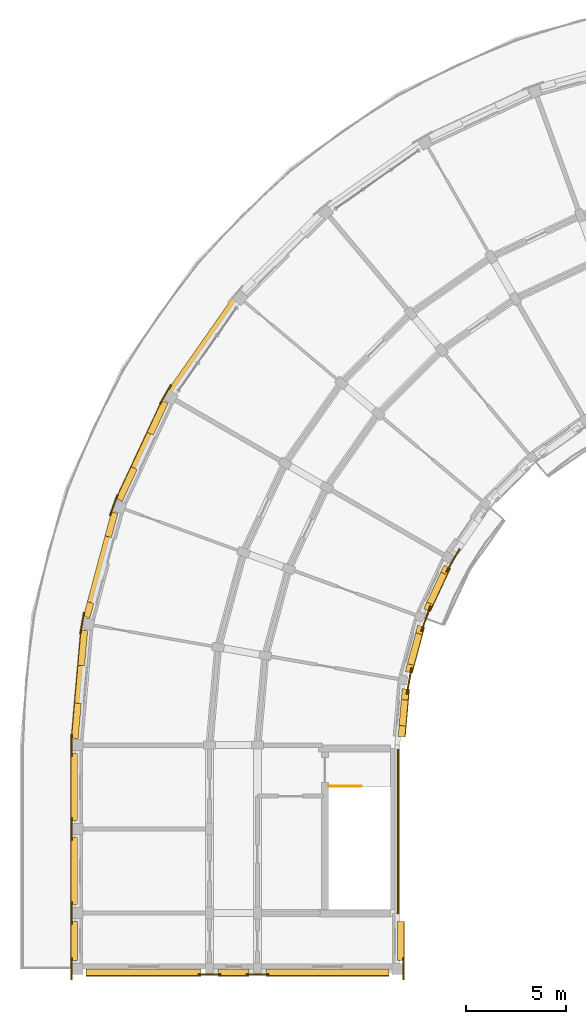
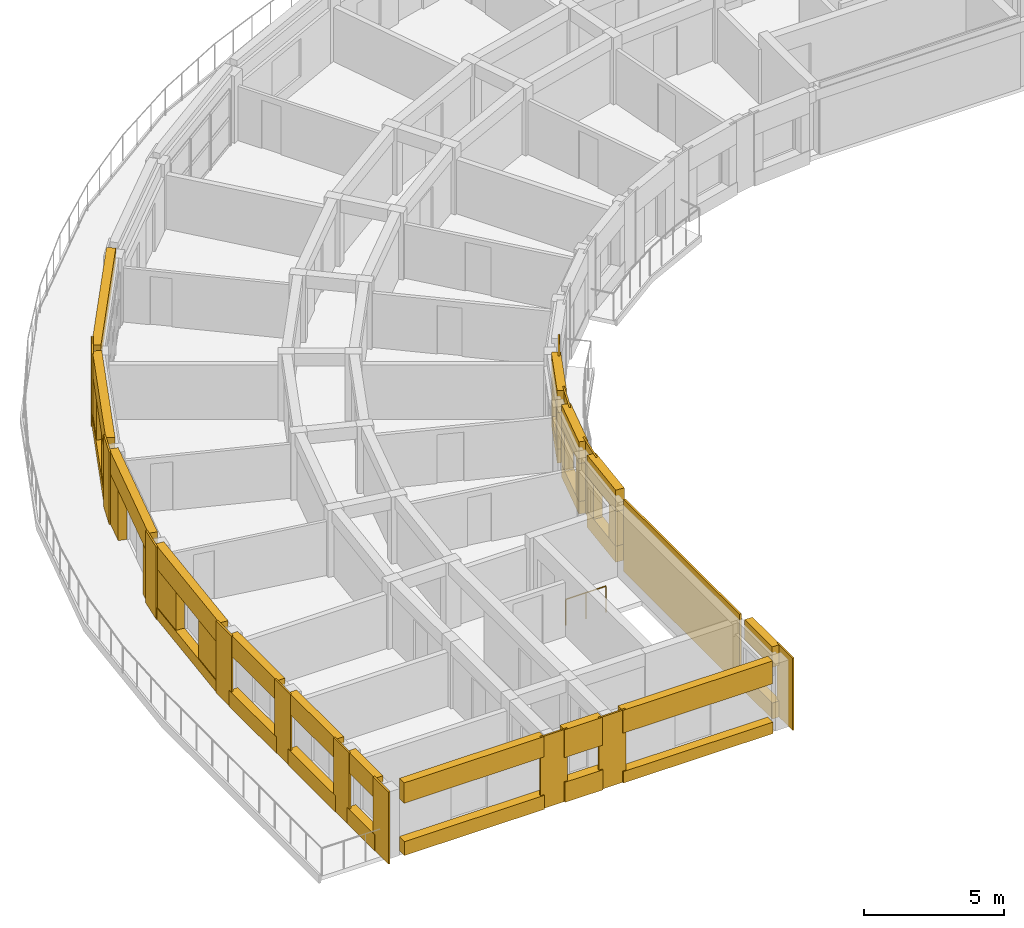
# One storey, part 11 of 14: 52 coverings, 1 railing.
"""IFC4 building model written with IfcOpenShell, lengths in metres."""

from ifc_helpers import new_model, si_unit, direction, frame, origin, origin_2d, place, context, subcontext, project, spatial, polyline, circle, outline, extrude, material, layer, layer_set, type_object, element, save


model = new_model("IFC4")

# Units and contexts
model_context = context("Model", 3, precision=1e-05, world=origin(), true_north=direction((0.0, 1.0)))
body_context = subcontext(model_context, "Body", "Model", "MODEL_VIEW")
ifc_project = project(units=[si_unit("LENGTHUNIT", "METRE"), si_unit("AREAUNIT", "SQUARE_METRE"), si_unit("VOLUMEUNIT", "CUBIC_METRE"), si_unit("PLANEANGLEUNIT", "RADIAN"), si_unit("MASSUNIT", "GRAM", prefix="KILO")], contexts=[model_context])

# Site, building, storey
site_placement = place(None, origin())
site = spatial("IfcSite", under=ifc_project, at=site_placement, CompositionType="ELEMENT")
building_placement = place(site_placement, origin())
building = spatial("IfcBuilding", under=site, at=building_placement, Name="Kiranvali Square Residences", CompositionType="ELEMENT")
storey_placement = place(building_placement, frame((0.0, 0.0, 49.64990234375)))
storey = spatial("IfcBuildingStorey", under=building, at=storey_placement, Name="L15", CompositionType="ELEMENT", Elevation=49.64990234375)

# Coverings
ifc_material_1 = material(Name="Honed Porbandar limestone ashlar facade cladding", Category="masonry")
ifc_layer_1 = layer(ifc_material_1, 0.3798828125)
ifc_layer_set_1 = layer_set([ifc_layer_1], Name="Honed Porbandar limestone ashlar facade cladding")
covering_type_1 = type_object("IfcCoveringType", Name="COV-CLAD-JAMB", PredefinedType="CLADDING", material=ifc_layer_set_1)
covering_1_placement = place(storey_placement, frame((0.0, 0.0, 0.502197265625)))
element("IfcCovering", 1, at=covering_1_placement, inside=storey, type_object=covering_type_1, Name="L15 deep limestone window jamb reveal A-L15-CRV-06.L", PredefinedType="CLADDING", context=body_context, shape_type="SweptSolid", body=[
    extrude(outline(polyline([(17.621337890625, 105.047119140625), (16.87841796875, 103.45361328125), (17.181640625, 103.312255859375), (17.924560546875, 104.90576171875), (17.621337890625, 105.047119140625)])), origin(), (0.0, 0.0, 1.0), 1.64990234375),
])
covering_2_placement = place(storey_placement, frame((0.0, 0.0, 0.502197265625)))
element("IfcCovering", 2, at=covering_2_placement, inside=storey, type_object=covering_type_1, Name="L15 deep limestone window jamb reveal A-L15-CRV-06.R", PredefinedType="CLADDING", context=body_context, shape_type="SweptSolid", body=[
    extrude(outline(polyline([(16.075439453125, 101.731689453125), (15.33251953125, 100.138427734375), (15.635498046875, 99.9970703125), (16.378662109375, 101.59033203125), (16.075439453125, 101.731689453125)])), origin(), (0.0, 0.0, 1.0), 1.64990234375),
])
covering_3_placement = place(storey_placement, origin())
element("IfcCovering", 3, at=covering_3_placement, inside=storey, type_object=covering_type_1, Name="L15 deep limestone window jamb reveal A-L15-CRV-07.L", PredefinedType="CLADDING", context=body_context, shape_type="SweptSolid", body=[
    extrude(outline(polyline([(15.091064453125, 99.47509765625), (14.7685546875, 98.27197265625), (15.091796875, 98.185302734375), (15.4140625, 99.388427734375), (15.091064453125, 99.47509765625)])), origin(), (0.0, 0.0, 1.0), 2.18017578125),
])
covering_4_placement = place(storey_placement, origin())
element("IfcCovering", 4, at=covering_4_placement, inside=storey, type_object=covering_type_1, Name="L15 deep limestone window jamb reveal A-L15-CRV-07.R", PredefinedType="CLADDING", context=body_context, shape_type="SweptSolid", body=[
    extrude(outline(polyline([(13.885498046875, 94.975830078125), (13.689208984375, 94.24365234375), (14.01220703125, 94.156982421875), (14.20849609375, 94.889404296875), (13.885498046875, 94.975830078125)])), origin(), (0.0, 0.0, 1.0), 2.18017578125),
])
covering_5_placement = place(storey_placement, frame((0.0, 0.0, 0.502197265625)))
element("IfcCovering", 5, at=covering_5_placement, inside=storey, type_object=covering_type_1, Name="L15 deep limestone window jamb reveal A-L15-CRV-08.L", PredefinedType="CLADDING", context=body_context, shape_type="SweptSolid", body=[
    extrude(outline(polyline([(13.566650390625, 93.54833984375), (13.413330078125, 91.797119140625), (13.74658203125, 91.767822265625), (13.89990234375, 93.519287109375), (13.566650390625, 93.54833984375)])), origin(), (0.0, 0.0, 1.0), 1.64990234375),
])
covering_6_placement = place(storey_placement, frame((0.0, 0.0, 0.502197265625)))
element("IfcCovering", 6, at=covering_6_placement, inside=storey, type_object=covering_type_1, Name="L15 deep limestone window jamb reveal A-L15-CRV-08.R", PredefinedType="CLADDING", context=body_context, shape_type="SweptSolid", body=[
    extrude(outline(polyline([(13.247802734375, 89.904296875), (13.094482421875, 88.153076171875), (13.427734375, 88.123779296875), (13.5810546875, 89.875244140625), (13.247802734375, 89.904296875)])), origin(), (0.0, 0.0, 1.0), 1.64990234375),
])
covering_7_placement = place(storey_placement, frame((0.0, 0.0, 0.60205078125)))
element("IfcCovering", 7, at=covering_7_placement, inside=storey, type_object=covering_type_1, Name="L15 deep limestone window jamb reveal A-L15-GDN-06.L", PredefinedType="CLADDING", context=body_context, shape_type="SweptSolid", body=[
    extrude(outline(polyline([(31.733154296875, 96.801025390625), (31.575439453125, 96.46240234375), (31.883056640625, 96.319091796875), (32.041015625, 96.657470703125), (31.733154296875, 96.801025390625)])), origin(), (0.0, 0.0, 1.0), 1.60009765625),
])
covering_8_placement = place(storey_placement, frame((0.0, 0.0, 0.60205078125)))
element("IfcCovering", 8, at=covering_8_placement, inside=storey, type_object=covering_type_1, Name="L15 deep limestone window jamb reveal A-L15-GDN-06.R", PredefinedType="CLADDING", context=body_context, shape_type="SweptSolid", body=[
    extrude(outline(polyline([(30.8779296875, 94.967041015625), (30.72021484375, 94.62841796875), (31.02783203125, 94.485107421875), (31.185791015625, 94.823486328125), (30.8779296875, 94.967041015625)])), origin(), (0.0, 0.0, 1.0), 1.60009765625),
])
covering_9_placement = place(storey_placement, frame((0.0, 0.0, 0.552001953125)))
element("IfcCovering", 9, at=covering_9_placement, inside=storey, type_object=covering_type_1, Name="L15 deep limestone window jamb reveal A-L15-GDN-07.L", PredefinedType="CLADDING", context=body_context, shape_type="SweptSolid", body=[
    extrude(outline(polyline([(30.42041015625, 93.804931640625), (30.317138671875, 93.419921875), (30.645263671875, 93.33203125), (30.748291015625, 93.717041015625), (30.42041015625, 93.804931640625)])), origin(), (0.0, 0.0, 1.0), 1.650146484375),
])
covering_10_placement = place(storey_placement, frame((0.0, 0.0, 0.552001953125)))
element("IfcCovering", 10, at=covering_10_placement, inside=storey, type_object=covering_type_1, Name="L15 deep limestone window jamb reveal A-L15-GDN-07.R", PredefinedType="CLADDING", context=body_context, shape_type="SweptSolid", body=[
    extrude(outline(polyline([(29.903076171875, 91.87451171875), (29.800048828125, 91.489501953125), (30.1279296875, 91.401611328125), (30.23095703125, 91.78662109375), (29.903076171875, 91.87451171875)])), origin(), (0.0, 0.0, 1.0), 1.650146484375),
])
covering_11_placement = place(storey_placement, frame((0.0, 0.0, 0.7021484375)))
element("IfcCovering", 11, at=covering_11_placement, inside=storey, type_object=covering_type_1, Name="L15 deep limestone window jamb reveal A-L15-GDN-08.L", PredefinedType="CLADDING", context=body_context, shape_type="SweptSolid", body=[
    extrude(outline(polyline([(29.647705078125, 90.626220703125), (29.599853515625, 90.079833984375), (29.938232421875, 90.05029296875), (29.986083984375, 90.5966796875), (29.647705078125, 90.626220703125)])), origin(), (0.0, 0.0, 1.0), 1.5),
])
covering_12_placement = place(storey_placement, frame((0.0, 0.0, 0.7021484375)))
element("IfcCovering", 12, at=covering_12_placement, inside=storey, type_object=covering_type_1, Name="L15 deep limestone window jamb reveal A-L15-GDN-08.R", PredefinedType="CLADDING", context=body_context, shape_type="SweptSolid", body=[
    extrude(outline(polyline([(29.486572265625, 88.78466796875), (29.43896484375, 88.23828125), (29.777099609375, 88.208740234375), (29.824951171875, 88.755126953125), (29.486572265625, 88.78466796875)])), origin(), (0.0, 0.0, 1.0), 1.5),
])
ifc_layer_2 = layer(ifc_material_1, 0.06494140625)
ifc_layer_set_2 = layer_set([ifc_layer_2], Name="Honed Porbandar limestone ashlar facade cladding")
covering_type_2 = type_object("IfcCoveringType", Name="COV-CLAD-PIER", PredefinedType="CLADDING", material=ifc_layer_set_2)
covering_13_placement = place(storey_placement, frame((0.0, 0.0, 0.005126953125)))
element("IfcCovering", 13, at=covering_13_placement, inside=storey, type_object=covering_type_2, Name="L15 Classical limestone corner pilaster CLAD-PR-A-L15-A06", PredefinedType="CLADDING", context=body_context, shape_type="SweptSolid", body=[
    extrude(outline(polyline([(18.042724609375, 105.85205078125), (17.48779296875, 104.890869140625), (17.546142578125, 104.857177734375), (18.101318359375, 105.818359375), (18.042724609375, 105.85205078125)])), origin(), (0.0, 0.0, 1.0), 3.139892578125),
])
covering_14_placement = place(storey_placement, frame((0.0, 0.0, 0.005126953125)))
element("IfcCovering", 14, at=covering_14_placement, inside=storey, type_object=covering_type_2, Name="L15 Classical limestone corner pilaster CLAD-PR-A-L15-A07", PredefinedType="CLADDING", context=body_context, shape_type="SweptSolid", body=[
    extrude(outline(polyline([(15.3662109375, 100.341064453125), (14.986572265625, 99.298095703125), (15.050048828125, 99.27490234375), (15.4296875, 100.318115234375), (15.3662109375, 100.341064453125)])), origin(), (0.0, 0.0, 1.0), 3.139892578125),
])
covering_15_placement = place(storey_placement, frame((0.0, 0.0, 0.005126953125)))
element("IfcCovering", 15, at=covering_15_placement, inside=storey, type_object=covering_type_2, Name="L15 Classical limestone corner pilaster CLAD-PR-A-L15-A08", PredefinedType="CLADDING", context=body_context, shape_type="SweptSolid", body=[
    extrude(outline(polyline([(13.687255859375, 94.448974609375), (13.49462890625, 93.35595703125), (13.56103515625, 93.34423828125), (13.753662109375, 94.437255859375), (13.687255859375, 94.448974609375)])), origin(), (0.0, 0.0, 1.0), 3.139892578125),
])
covering_16_placement = place(storey_placement, frame((0.0, 0.0, 0.005126953125)))
element("IfcCovering", 16, at=covering_16_placement, inside=storey, type_object=covering_type_2, Name="L15 Classical limestone corner pilaster CLAD-PR-A-L15-A09", PredefinedType="CLADDING", context=body_context, shape_type="SweptSolid", body=[
    extrude(outline(polyline([(13.056884765625, 88.35498046875), (13.056884765625, 87.2451171875), (13.12451171875, 87.2451171875), (13.12451171875, 88.35498046875), (13.056884765625, 88.35498046875)])), origin(), (0.0, 0.0, 1.0), 3.139892578125),
])
covering_17_placement = place(storey_placement, frame((0.0, 0.0, 0.005126953125)))
element("IfcCovering", 17, at=covering_17_placement, inside=storey, type_object=covering_type_2, Name="Block A L15 Arm 2 stair limestone ashlar cladding", PredefinedType="CLADDING", context=body_context, shape_type="SweptSolid", body=[
    extrude(outline(polyline([(29.402099609375, 87.60009765625), (29.402099609375, 79.35009765625), (29.47998046875, 79.35009765625), (29.47998046875, 87.60009765625), (29.402099609375, 87.60009765625)])), origin(), (0.0, 0.0, 1.0), 3.139892578125),
])
ifc_layer_3 = layer(ifc_material_1, 0.050048828125)
ifc_layer_set_3 = layer_set([ifc_layer_3], Name="Honed Porbandar limestone ashlar facade cladding")
covering_type_3 = type_object("IfcCoveringType", Name="COV-CLAD-PIER-IN", PredefinedType="CLADDING", material=ifc_layer_set_3)
covering_18_placement = place(storey_placement, frame((0.0, 0.0, 0.005126953125)))
element("IfcCovering", 18, at=covering_18_placement, inside=storey, type_object=covering_type_3, Name="L15 Classical garden courtyard pilaster CLAD-PRIN-A-L15-A06", PredefinedType="CLADDING", context=body_context, shape_type="SweptSolid", body=[
    extrude(outline(polyline([(31.878173828125, 96.44384765625), (32.55322265625, 97.613037109375), (32.494873046875, 97.646728515625), (31.81982421875, 96.477783203125), (31.878173828125, 96.44384765625)])), origin(), (0.0, 0.0, 1.0), 3.139892578125),
])
covering_19_placement = place(storey_placement, frame((0.0, 0.0, 0.005126953125)))
element("IfcCovering", 19, at=covering_19_placement, inside=storey, type_object=covering_type_3, Name="L15 Classical garden courtyard pilaster CLAD-PRIN-A-L15-A07", PredefinedType="CLADDING", context=body_context, shape_type="SweptSolid", body=[
    extrude(outline(polyline([(30.625244140625, 93.478271484375), (31.0869140625, 94.7470703125), (31.0234375, 94.77001953125), (30.561767578125, 93.50146484375), (30.625244140625, 93.478271484375)])), origin(), (0.0, 0.0, 1.0), 3.139892578125),
])
covering_20_placement = place(storey_placement, frame((0.0, 0.0, 0.005126953125)))
element("IfcCovering", 20, at=covering_20_placement, inside=storey, type_object=covering_type_3, Name="L15 Classical garden courtyard pilaster CLAD-PRIN-A-L15-A08", PredefinedType="CLADDING", context=body_context, shape_type="SweptSolid", body=[
    extrude(outline(polyline([(29.90625, 90.34033203125), (30.140625, 91.669677734375), (30.07421875, 91.681396484375), (29.839599609375, 90.35205078125), (29.90625, 90.34033203125)])), origin(), (0.0, 0.0, 1.0), 3.139892578125),
])
covering_21_placement = place(storey_placement, frame((0.0, 0.0, 0.005126953125)))
element("IfcCovering", 21, at=covering_21_placement, inside=storey, type_object=covering_type_3, Name="L15 Classical limestone pilaster casing CLAD-PRA2I-A-L15-V112", PredefinedType="CLADDING", context=body_context, shape_type="SweptSolid", body=[
    extrude(outline(polyline([(29.675537109375, 77.155029296875), (29.675537109375, 76.044921875), (29.742919921875, 76.044921875), (29.742919921875, 77.155029296875), (29.675537109375, 77.155029296875)])), origin(), (0.0, 0.0, 1.0), 3.139892578125),
])
ifc_layer_4 = layer(ifc_material_1, 0.054931640625)
ifc_layer_set_4 = layer_set([ifc_layer_4], Name="Honed Porbandar limestone ashlar facade cladding")
covering_type_4 = type_object("IfcCoveringType", Name="COV-CLAD-PIER-UP", PredefinedType="CLADDING", material=ifc_layer_set_4)
covering_22_placement = place(storey_placement, frame((0.0, 0.0, 0.005126953125)))
element("IfcCovering", 22, at=covering_22_placement, inside=storey, type_object=covering_type_4, Name="L15 Classical limestone pilaster casing CLAD-PR-A-L15-V42", PredefinedType="CLADDING", context=body_context, shape_type="SweptSolid", body=[
    extrude(outline(polyline([(13.056884765625, 84.155029296875), (13.056884765625, 83.044921875), (13.12451171875, 83.044921875), (13.12451171875, 84.155029296875), (13.056884765625, 84.155029296875)])), origin(), (0.0, 0.0, 1.0), 3.139892578125),
])
covering_23_placement = place(storey_placement, frame((0.0, 0.0, 0.005126953125)))
element("IfcCovering", 23, at=covering_23_placement, inside=storey, type_object=covering_type_4, Name="L15 Classical limestone pilaster casing CLAD-PR-A-L15-V84", PredefinedType="CLADDING", context=body_context, shape_type="SweptSolid", body=[
    extrude(outline(polyline([(13.056884765625, 79.955078125), (13.056884765625, 78.844970703125), (13.12451171875, 78.844970703125), (13.12451171875, 79.955078125), (13.056884765625, 79.955078125)])), origin(), (0.0, 0.0, 1.0), 3.139892578125),
])
covering_24_placement = place(storey_placement, frame((0.0, 0.0, 0.005126953125)))
element("IfcCovering", 24, at=covering_24_placement, inside=storey, type_object=covering_type_4, Name="L15 Classical limestone pilaster casing CLAD-PR-A-L15-V112", PredefinedType="CLADDING", context=body_context, shape_type="SweptSolid", body=[
    extrude(outline(polyline([(13.056884765625, 77.155029296875), (13.056884765625, 76.044921875), (13.12451171875, 76.044921875), (13.12451171875, 77.155029296875), (13.056884765625, 77.155029296875)])), origin(), (0.0, 0.0, 1.0), 3.139892578125),
])
covering_25_placement = place(storey_placement, frame((0.0, 0.0, 0.005126953125)))
element("IfcCovering", 25, at=covering_25_placement, inside=storey, type_object=covering_type_4, Name="L15 Classical limestone pilaster casing CLAD-PRA2E-A-L15-R258", PredefinedType="CLADDING", context=body_context, shape_type="SweptSolid", body=[
    extrude(outline(polyline([(22.955078125, 76.349609375), (21.844970703125, 76.349609375), (21.844970703125, 76.281982421875), (22.955078125, 76.281982421875), (22.955078125, 76.349609375)])), origin(), (0.0, 0.0, 1.0), 3.139892578125),
])
covering_26_placement = place(storey_placement, frame((0.0, 0.0, 0.005126953125)))
element("IfcCovering", 26, at=covering_26_placement, inside=storey, type_object=covering_type_4, Name="L15 Classical limestone pilaster casing CLAD-PRA2E-A-L15-R282", PredefinedType="CLADDING", context=body_context, shape_type="SweptSolid", body=[
    extrude(outline(polyline([(20.554931640625, 76.349609375), (19.445068359375, 76.349609375), (19.445068359375, 76.281982421875), (20.554931640625, 76.281982421875), (20.554931640625, 76.349609375)])), origin(), (0.0, 0.0, 1.0), 3.139892578125),
])
ifc_layer_5 = layer(ifc_material_1, 0.360107421875)
ifc_layer_set_5 = layer_set([ifc_layer_5], Name="Honed Porbandar limestone ashlar facade cladding")
covering_type_5 = type_object("IfcCoveringType", Name="COV-CLAD-WALL", PredefinedType="CLADDING", material=ifc_layer_set_5)
covering_27_placement = place(storey_placement, frame((0.0, 0.0, 2.460205078125)))
element("IfcCovering", 27, at=covering_27_placement, inside=storey, type_object=covering_type_5, Name="Block A L15 limestone terrace header 6", PredefinedType="CLADDING", context=body_context, shape_type="SweptSolid", body=[
    extrude(outline(polyline([(21.267333984375, 110.361083984375), (17.787841796875, 105.39208984375), (18.060791015625, 105.201171875), (21.5400390625, 110.170166015625), (21.267333984375, 110.361083984375)])), origin(), (0.0, 0.0, 1.0), 0.684814453125),
])
covering_28_placement = place(storey_placement, frame((0.0, 0.0, 2.152099609375)))
element("IfcCovering", 28, at=covering_28_placement, inside=storey, type_object=covering_type_5, Name="L15 light limestone spandrel lintel A-L15-CRV-06", PredefinedType="CLADDING", context=body_context, shape_type="SweptSolid", body=[
    extrude(outline(polyline([(17.621337890625, 105.047119140625), (15.33251953125, 100.138427734375), (15.635498046875, 99.9970703125), (17.924560546875, 104.90576171875), (17.621337890625, 105.047119140625)])), origin(), (0.0, 0.0, 1.0), 0.992919921875),
])
covering_29_placement = place(storey_placement, frame((0.0, 0.0, 2.18017578125)))
element("IfcCovering", 29, at=covering_29_placement, inside=storey, type_object=covering_type_5, Name="L15 light limestone spandrel lintel A-L15-CRV-07", PredefinedType="CLADDING", context=body_context, shape_type="SweptSolid", body=[
    extrude(outline(polyline([(15.091064453125, 99.47509765625), (13.689208984375, 94.24365234375), (14.01220703125, 94.156982421875), (15.4140625, 99.388427734375), (15.091064453125, 99.47509765625)])), origin(), (0.0, 0.0, 1.0), 0.96484375),
])
covering_30_placement = place(storey_placement, frame((0.0, 0.0, 2.152099609375)))
element("IfcCovering", 30, at=covering_30_placement, inside=storey, type_object=covering_type_5, Name="L15 light limestone spandrel lintel A-L15-CRV-08", PredefinedType="CLADDING", context=body_context, shape_type="SweptSolid", body=[
    extrude(outline(polyline([(13.566650390625, 93.54833984375), (13.094482421875, 88.153076171875), (13.427734375, 88.123779296875), (13.89990234375, 93.519287109375), (13.566650390625, 93.54833984375)])), origin(), (0.0, 0.0, 1.0), 0.992919921875),
])
covering_31_placement = place(storey_placement, frame((0.0, 0.0, 2.2021484375)))
element("IfcCovering", 31, at=covering_31_placement, inside=storey, type_object=covering_type_5, Name="L15 light limestone spandrel lintel A-L15-GDN-06", PredefinedType="CLADDING", context=body_context, shape_type="SweptSolid", body=[
    extrude(outline(polyline([(31.733154296875, 96.801025390625), (30.72021484375, 94.62841796875), (31.02783203125, 94.485107421875), (32.041015625, 96.657470703125), (31.733154296875, 96.801025390625)])), origin(), (0.0, 0.0, 1.0), 0.94287109375),
])
covering_32_placement = place(storey_placement, frame((0.0, 0.0, 2.2021484375)))
element("IfcCovering", 32, at=covering_32_placement, inside=storey, type_object=covering_type_5, Name="L15 light limestone spandrel lintel A-L15-GDN-07", PredefinedType="CLADDING", context=body_context, shape_type="SweptSolid", body=[
    extrude(outline(polyline([(30.42041015625, 93.804931640625), (29.800048828125, 91.489501953125), (30.1279296875, 91.401611328125), (30.748291015625, 93.717041015625), (30.42041015625, 93.804931640625)])), origin(), (0.0, 0.0, 1.0), 0.94287109375),
])
covering_33_placement = place(storey_placement, frame((0.0, 0.0, 2.2021484375)))
element("IfcCovering", 33, at=covering_33_placement, inside=storey, type_object=covering_type_5, Name="L15 light limestone spandrel lintel A-L15-GDN-08", PredefinedType="CLADDING", context=body_context, shape_type="SweptSolid", body=[
    extrude(outline(polyline([(29.647705078125, 90.626220703125), (29.43896484375, 88.23828125), (29.777099609375, 88.208740234375), (29.986083984375, 90.5966796875), (29.647705078125, 90.626220703125)])), origin(), (0.0, 0.0, 1.0), 0.94287109375),
])
covering_34_placement = place(storey_placement, frame((0.0, 0.0, 2.252197265625)))
element("IfcCovering", 34, at=covering_34_placement, inside=storey, type_object=covering_type_5, Name="L15 light limestone spandrel lintel A-L15-A2O-0", PredefinedType="CLADDING", context=body_context, shape_type="SweptSolid", body=[
    extrude(outline(polyline([(13.074951171875, 87.3798828125), (13.074951171875, 84.02001953125), (13.3994140625, 84.02001953125), (13.3994140625, 87.3798828125), (13.074951171875, 87.3798828125)])), origin(), (0.0, 0.0, 1.0), 0.892822265625),
])
covering_35_placement = place(storey_placement, frame((0.0, 0.0, 2.252197265625)))
element("IfcCovering", 35, at=covering_35_placement, inside=storey, type_object=covering_type_5, Name="L15 light limestone spandrel lintel A-L15-A2O-1", PredefinedType="CLADDING", context=body_context, shape_type="SweptSolid", body=[
    extrude(outline(polyline([(13.074951171875, 83.179931640625), (13.074951171875, 79.820068359375), (13.3994140625, 79.820068359375), (13.3994140625, 83.179931640625), (13.074951171875, 83.179931640625)])), origin(), (0.0, 0.0, 1.0), 0.892822265625),
])
covering_36_placement = place(storey_placement, frame((0.0, 0.0, 2.252197265625)))
element("IfcCovering", 36, at=covering_36_placement, inside=storey, type_object=covering_type_5, Name="L15 light limestone spandrel lintel A-L15-A2O-2", PredefinedType="CLADDING", context=body_context, shape_type="SweptSolid", body=[
    extrude(outline(polyline([(13.074951171875, 78.97998046875), (13.074951171875, 77.02001953125), (13.3994140625, 77.02001953125), (13.3994140625, 78.97998046875), (13.074951171875, 78.97998046875)])), origin(), (0.0, 0.0, 1.0), 0.892822265625),
])
covering_37_placement = place(storey_placement, frame((0.0, 0.0, 2.252197265625)))
element("IfcCovering", 37, at=covering_37_placement, inside=storey, type_object=covering_type_5, Name="L15 light limestone spandrel lintel A-L15-A2I-0", PredefinedType="CLADDING", context=body_context, shape_type="SweptSolid", body=[
    extrude(outline(polyline([(29.400390625, 78.97998046875), (29.400390625, 77.02001953125), (29.719970703125, 77.02001953125), (29.719970703125, 78.97998046875), (29.400390625, 78.97998046875)])), origin(), (0.0, 0.0, 1.0), 0.892822265625),
])
covering_38_placement = place(storey_placement, frame((0.0, 0.0, 2.152099609375)))
element("IfcCovering", 38, at=covering_38_placement, inside=storey, type_object=covering_type_5, Name="L15 light limestone spandrel lintel A-L15-A2END-0", PredefinedType="CLADDING", context=body_context, shape_type="SweptSolid", body=[
    extrude(outline(polyline([(28.97998046875, 76.599609375), (22.820068359375, 76.599609375), (22.820068359375, 76.260009765625), (28.97998046875, 76.260009765625), (28.97998046875, 76.599609375)])), origin(), (0.0, 0.0, 1.0), 0.992919921875),
])
covering_39_placement = place(storey_placement, frame((0.0, 0.0, 1.93017578125)))
element("IfcCovering", 39, at=covering_39_placement, inside=storey, type_object=covering_type_5, Name="L15 light limestone spandrel lintel A-L15-A2END-1", PredefinedType="CLADDING", context=body_context, shape_type="SweptSolid", body=[
    extrude(outline(polyline([(21.97998046875, 76.599609375), (20.419921875, 76.599609375), (20.419921875, 76.260009765625), (21.97998046875, 76.260009765625), (21.97998046875, 76.599609375)])), origin(), (0.0, 0.0, 1.0), 1.21484375),
])
covering_40_placement = place(storey_placement, frame((0.0, 0.0, 2.260009765625)))
element("IfcCovering", 40, at=covering_40_placement, inside=storey, type_object=covering_type_5, Name="L15 light limestone spandrel lintel A-L15-A2END-2", PredefinedType="CLADDING", context=body_context, shape_type="SweptSolid", body=[
    extrude(outline(polyline([(19.580078125, 76.599609375), (13.820068359375, 76.599609375), (13.820068359375, 76.260009765625), (19.580078125, 76.260009765625), (19.580078125, 76.599609375)])), origin(), (0.0, 0.0, 1.0), 0.885009765625),
])
ifc_layer_6 = layer(ifc_material_1, 0.320068359375)
ifc_layer_set_6 = layer_set([ifc_layer_6], Name="Honed Porbandar limestone ashlar facade cladding")
covering_type_6 = type_object("IfcCoveringType", Name="COV-CLAD-WALL-UP", PredefinedType="CLADDING", material=ifc_layer_set_6)
covering_41_placement = place(storey_placement, frame((0.0, 0.0, 0.005126953125)))
element("IfcCovering", 41, at=covering_41_placement, inside=storey, type_object=covering_type_6, Name="L15 limestone window sill apron A-L15-CRV-06", PredefinedType="CLADDING", context=body_context, shape_type="SweptSolid", body=[
    extrude(outline(polyline([(17.59423828125, 105.059814453125), (15.30517578125, 100.151123046875), (15.635498046875, 99.9970703125), (17.924560546875, 104.90576171875), (17.59423828125, 105.059814453125)])), origin(), (0.0, 0.0, 1.0), 0.4970703125),
])
covering_42_placement = place(storey_placement, frame((0.0, 0.0, 0.005126953125)))
element("IfcCovering", 42, at=covering_42_placement, inside=storey, type_object=covering_type_6, Name="L15 limestone window sill apron A-L15-CRV-08", PredefinedType="CLADDING", context=body_context, shape_type="SweptSolid", body=[
    extrude(outline(polyline([(13.536865234375, 93.551025390625), (13.064697265625, 88.155517578125), (13.427734375, 88.123779296875), (13.89990234375, 93.519287109375), (13.536865234375, 93.551025390625)])), origin(), (0.0, 0.0, 1.0), 0.4970703125),
])
covering_43_placement = place(storey_placement, frame((0.0, 0.0, 0.005126953125)))
element("IfcCovering", 43, at=covering_43_placement, inside=storey, type_object=covering_type_6, Name="L15 limestone window sill apron A-L15-GDN-06", PredefinedType="CLADDING", context=body_context, shape_type="SweptSolid", body=[
    extrude(outline(polyline([(31.733154296875, 96.801025390625), (30.72021484375, 94.62841796875), (31.05517578125, 94.472412109375), (32.068115234375, 96.644775390625), (31.733154296875, 96.801025390625)])), origin(), (0.0, 0.0, 1.0), 0.596923828125),
])
covering_44_placement = place(storey_placement, frame((0.0, 0.0, 0.005126953125)))
element("IfcCovering", 44, at=covering_44_placement, inside=storey, type_object=covering_type_6, Name="L15 limestone window sill apron A-L15-GDN-07", PredefinedType="CLADDING", context=body_context, shape_type="SweptSolid", body=[
    extrude(outline(polyline([(30.42041015625, 93.804931640625), (29.800048828125, 91.489501953125), (30.156982421875, 91.393798828125), (30.77734375, 93.709228515625), (30.42041015625, 93.804931640625)])), origin(), (0.0, 0.0, 1.0), 0.546875),
])
covering_45_placement = place(storey_placement, frame((0.0, 0.0, 0.005126953125)))
element("IfcCovering", 45, at=covering_45_placement, inside=storey, type_object=covering_type_6, Name="L15 limestone window sill apron A-L15-GDN-08", PredefinedType="CLADDING", context=body_context, shape_type="SweptSolid", body=[
    extrude(outline(polyline([(29.647705078125, 90.626220703125), (29.43896484375, 88.23828125), (29.806884765625, 88.2060546875), (30.015869140625, 90.593994140625), (29.647705078125, 90.626220703125)])), origin(), (0.0, 0.0, 1.0), 0.697021484375),
])
covering_46_placement = place(storey_placement, frame((0.0, 0.0, 0.005126953125)))
element("IfcCovering", 46, at=covering_46_placement, inside=storey, type_object=covering_type_6, Name="L15 limestone window sill apron A-L15-A2O-0", PredefinedType="CLADDING", context=body_context, shape_type="SweptSolid", body=[
    extrude(outline(polyline([(13.044921875, 87.3798828125), (13.044921875, 84.02001953125), (13.3994140625, 84.02001953125), (13.3994140625, 87.3798828125), (13.044921875, 87.3798828125)])), origin(), (0.0, 0.0, 1.0), 0.697021484375),
])
covering_47_placement = place(storey_placement, frame((0.0, 0.0, 0.005126953125)))
element("IfcCovering", 47, at=covering_47_placement, inside=storey, type_object=covering_type_6, Name="L15 limestone window sill apron A-L15-A2O-1", PredefinedType="CLADDING", context=body_context, shape_type="SweptSolid", body=[
    extrude(outline(polyline([(13.044921875, 83.179931640625), (13.044921875, 79.820068359375), (13.3994140625, 79.820068359375), (13.3994140625, 83.179931640625), (13.044921875, 83.179931640625)])), origin(), (0.0, 0.0, 1.0), 0.697021484375),
])
covering_48_placement = place(storey_placement, frame((0.0, 0.0, 0.005126953125)))
element("IfcCovering", 48, at=covering_48_placement, inside=storey, type_object=covering_type_6, Name="L15 limestone window sill apron A-L15-A2O-2", PredefinedType="CLADDING", context=body_context, shape_type="SweptSolid", body=[
    extrude(outline(polyline([(13.044921875, 78.97998046875), (13.044921875, 77.02001953125), (13.3994140625, 77.02001953125), (13.3994140625, 78.97998046875), (13.044921875, 78.97998046875)])), origin(), (0.0, 0.0, 1.0), 0.697021484375),
])
covering_49_placement = place(storey_placement, frame((0.0, 0.0, 0.005126953125)))
element("IfcCovering", 49, at=covering_49_placement, inside=storey, type_object=covering_type_6, Name="L15 limestone window sill apron A-L15-A2I-0", PredefinedType="CLADDING", context=body_context, shape_type="SweptSolid", body=[
    extrude(outline(polyline([(29.400390625, 78.97998046875), (29.400390625, 77.02001953125), (29.75, 77.02001953125), (29.75, 78.97998046875), (29.400390625, 78.97998046875)])), origin(), (0.0, 0.0, 1.0), 0.697021484375),
])
covering_50_placement = place(storey_placement, frame((0.0, 0.0, 0.005126953125)))
element("IfcCovering", 50, at=covering_50_placement, inside=storey, type_object=covering_type_6, Name="L15 limestone window sill apron A-L15-A2END-0", PredefinedType="CLADDING", context=body_context, shape_type="SweptSolid", body=[
    extrude(outline(polyline([(28.97998046875, 76.599609375), (22.820068359375, 76.599609375), (22.820068359375, 76.22998046875), (28.97998046875, 76.22998046875), (28.97998046875, 76.599609375)])), origin(), (0.0, 0.0, 1.0), 0.4970703125),
])
covering_51_placement = place(storey_placement, frame((0.0, 0.0, 0.005126953125)))
element("IfcCovering", 51, at=covering_51_placement, inside=storey, type_object=covering_type_6, Name="L15 limestone window sill apron A-L15-A2END-1", PredefinedType="CLADDING", context=body_context, shape_type="SweptSolid", body=[
    extrude(outline(polyline([(21.97998046875, 76.599609375), (20.419921875, 76.599609375), (20.419921875, 76.22998046875), (21.97998046875, 76.22998046875), (21.97998046875, 76.599609375)])), origin(), (0.0, 0.0, 1.0), 0.875),
])
covering_52_placement = place(storey_placement, frame((0.0, 0.0, 0.005126953125)))
element("IfcCovering", 52, at=covering_52_placement, inside=storey, type_object=covering_type_6, Name="L15 limestone window sill apron A-L15-A2END-2", PredefinedType="CLADDING", context=body_context, shape_type="SweptSolid", body=[
    extrude(outline(polyline([(19.580078125, 76.599609375), (13.820068359375, 76.599609375), (13.820068359375, 76.22998046875), (19.580078125, 76.22998046875), (19.580078125, 76.599609375)])), origin(), (0.0, 0.0, 1.0), 0.60498046875),
])

# Railing
ifc_material_2 = material(Name="Powder-coated architectural bronze balustrade", Category="steel")
railing_type = type_object("IfcRailingType", Name="RL-ST-GUARD-1200", PredefinedType="GUARDRAIL", material=ifc_material_2)
railing_placement = place(storey_placement, frame((25.949951171875, 85.75, 0.0)))
element("IfcRailing", 53, at=railing_placement, inside=storey, type_object=railing_type, Name="L15 ST-A3 top well guard 1", PredefinedType="GUARDRAIL", context=body_context, shape_type="SweptSolid", body=[
    extrude(circle(Radius=0.02392578125, at=origin_2d()), frame((0.0, 0.0, 1.1259765625), z_axis=(1.0, 0.0, 0.0), x_axis=(0.0, 1.0, 0.0)), (0.0, 0.0, 1.0), 1.650146484375),
    extrude(circle(Radius=0.02099609375, at=origin_2d()), origin(), (0.0, 0.0, 1.0), 1.101806640625),
    extrude(circle(Radius=0.02099609375, at=origin_2d()), frame((0.8251953125, 0.0, 0.0)), (0.0, 0.0, 1.0), 1.101806640625),
    extrude(circle(Radius=0.02099609375, at=origin_2d()), frame((1.650146484375, 0.0, 0.0)), (0.0, 0.0, 1.0), 1.101806640625),
])

save(model, "model.ifc")
